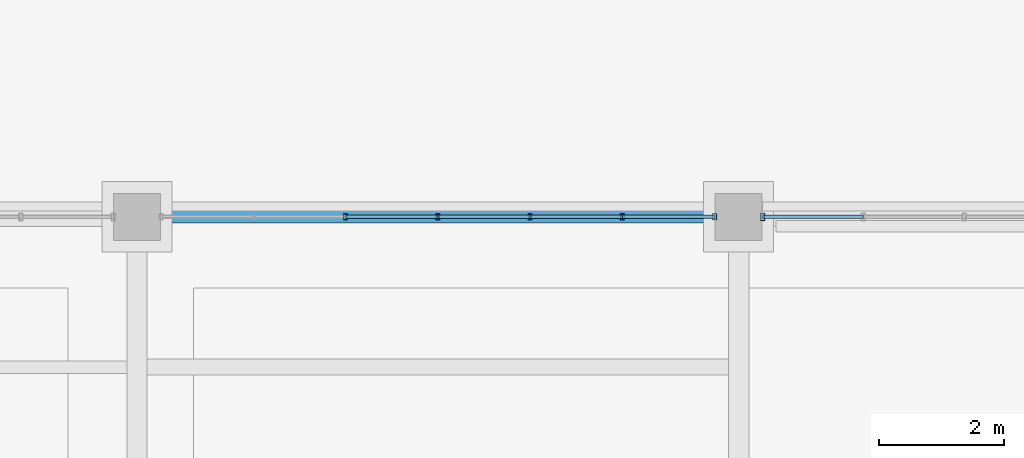
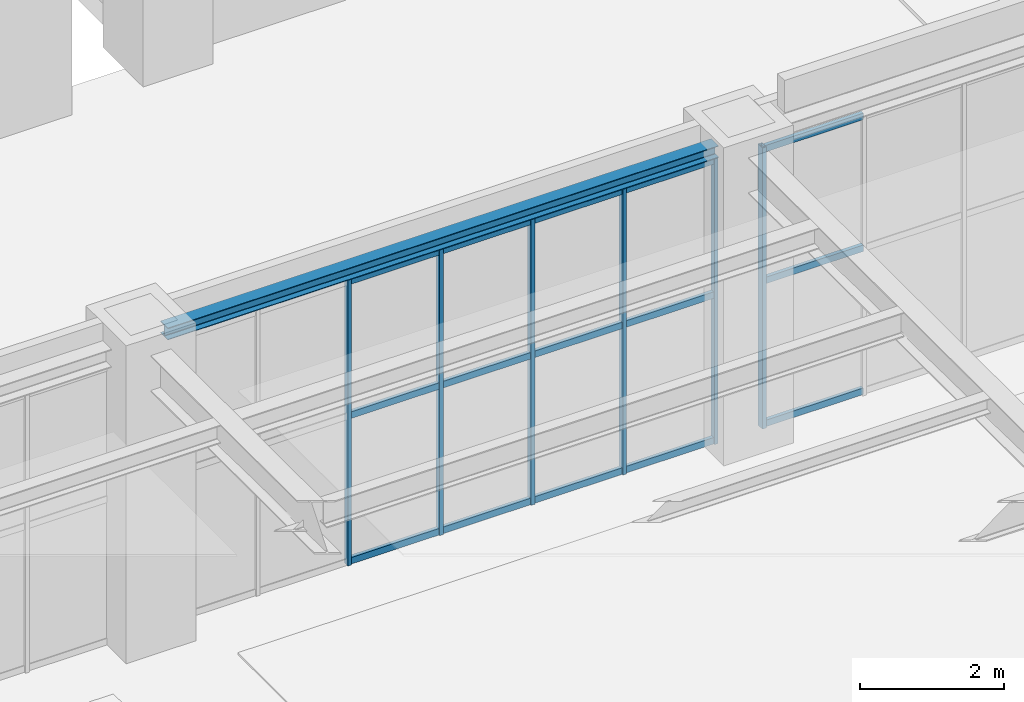
# One storey, part 38 of 164: 21 members, 1 beam, 2 elements without a shape of their own.
"""IFC4 building model written with IfcOpenShell, lengths in metres."""

from ifc_helpers import new_model, si_unit, direction, frame, origin, origin_2d, place, context, subcontext, project, spatial, hollow_rectangle, i_section, extrude, material, material_profile, profile_set, type_object, element, aggregate, save


model = new_model("IFC4")

# Units and contexts
model_context = context("Model", 3, precision=1e-05, world=origin(), true_north=direction((0.0, 1.0)))
body_context = subcontext(model_context, "Body", "Model", "MODEL_VIEW")
ifc_project = project(units=[si_unit("LENGTHUNIT", "METRE"), si_unit("AREAUNIT", "SQUARE_METRE"), si_unit("VOLUMEUNIT", "CUBIC_METRE"), si_unit("PLANEANGLEUNIT", "RADIAN"), si_unit("MASSUNIT", "GRAM", prefix="KILO")], contexts=[model_context])

# Site, building, storey
site_placement = place(None, origin())
site = spatial("IfcSite", under=ifc_project, at=site_placement, CompositionType="ELEMENT")
building_placement = place(site_placement, origin())
building = spatial("IfcBuilding", under=site, at=building_placement, Name="Mavantir Sound Aquarium", CompositionType="ELEMENT")
storey_placement = place(building_placement, origin())
storey = spatial("IfcBuildingStorey", under=building, at=storey_placement, Name="L00", CompositionType="ELEMENT", Elevation=0.0)

# Beam
ifc_material_1 = material(Name="Structural Steel ASTM A992 Gr50", Category="steel")
ifc_material_profile_1 = material_profile(ifc_material_1, i_section(OverallWidth=0.202880859375, OverallDepth=0.202880859375, WebThickness=0.007080078125, FlangeThickness=0.010986328125, FilletRadius=0.010009765625, at=origin_2d()), Name="W200X46")
ifc_profile_set_1 = profile_set([ifc_material_profile_1], Name="Structural Steel ASTM A992 Gr50")
beam_type = type_object("IfcBeamType", Name="BM-W200X46-E", PredefinedType="LINTEL", material=ifc_profile_set_1)
beam_placement = place(storey_placement, frame((29.175048828125, 28.800048828125, 4.994384765625), z_axis=(1.0, 0.0, 0.0), x_axis=(0.0, 1.0, 0.0)))
element("IfcBeam", 1, at=beam_placement, inside=storey, type_object=beam_type, Name="L00 primary beam SL-20 904", PredefinedType="LINTEL", context=body_context, shape_type="SweptSolid", body=[
    extrude(i_section(OverallWidth=0.202880859375, OverallDepth=0.202880859375, WebThickness=0.007080078125, FlangeThickness=0.010986328125, FilletRadius=0.010009765625, at=origin_2d()), origin(), (0.0, 0.0, 1.0), 8.849853515625),
])

# Curtain wall, members
ifc_material_2 = material(Name="Anodised Marine Aluminium and Low-E Glass", Category="aluminium")
curtain_wall_type_1 = type_object("IfcCurtainWallType", Name="CW-T07", PredefinedType="USERDEFINED", material=ifc_material_2)
curtain_wall_1_placement = place(storey_placement, origin())
curtain_wall_1 = element("IfcCurtainWall", 2, at=curtain_wall_1_placement, inside=storey, type_object=curtain_wall_type_1, Name="L00 unitised curtain wall CW-07 7", ObjectType="UNITISED GLAZING", PredefinedType="USERDEFINED")
ifc_material_3 = material(Name="Anodised Marine Aluminium 6063-T6", Category="aluminium")
ifc_material_profile_2 = material_profile(ifc_material_3, hollow_rectangle(XDim=0.06005859375, YDim=0.10009765625, WallThickness=0.00390625, at=origin_2d()), Name="ALU-MULLION-100X60")
ifc_profile_set_2 = profile_set([ifc_material_profile_2], Name="Anodised Marine Aluminium 6063-T6")
member_type_1 = type_object("IfcMemberType", Name="CW-MUL-100", PredefinedType="MULLION", material=ifc_profile_set_2)
member_1_placement = place(storey_placement, frame((38.01708984375, 28.800048828125, 0.0), z_axis=(0.0, 0.0, 1.0), x_axis=(1.0, 0.0, 0.0)))
member_1 = element("IfcMember", 3, at=member_1_placement, type_object=member_type_1, Name="CW-L00-007 vertical mullion 1", PredefinedType="MULLION", context=body_context, shape_type="SweptSolid", body=[
    extrude(hollow_rectangle(XDim=0.06005859375, YDim=0.10009765625, WallThickness=0.00390625, at=origin_2d()), origin(), (0.0, 0.0, 1.0), 4.863037109375),
])
member_2_placement = place(storey_placement, frame((36.544677734375, 28.800048828125, 0.0), z_axis=(0.0, 0.0, 1.0), x_axis=(1.0, 0.0, 0.0)))
member_2 = element("IfcMember", 4, at=member_2_placement, type_object=member_type_1, Name="CW-L00-007 vertical mullion 2", PredefinedType="MULLION", context=body_context, shape_type="SweptSolid", body=[
    extrude(hollow_rectangle(XDim=0.06005859375, YDim=0.10009765625, WallThickness=0.00390625, at=origin_2d()), origin(), (0.0, 0.0, 1.0), 4.863037109375),
])
member_3_placement = place(storey_placement, frame((35.072265625, 28.800048828125, 0.0), z_axis=(0.0, 0.0, 1.0), x_axis=(1.0, 0.0, 0.0)))
member_3 = element("IfcMember", 5, at=member_3_placement, type_object=member_type_1, Name="CW-L00-007 vertical mullion 3", PredefinedType="MULLION", context=body_context, shape_type="SweptSolid", body=[
    extrude(hollow_rectangle(XDim=0.06005859375, YDim=0.10009765625, WallThickness=0.00390625, at=origin_2d()), origin(), (0.0, 0.0, 1.0), 4.863037109375),
])
member_4_placement = place(storey_placement, frame((33.60009765625, 28.800048828125, 0.0), z_axis=(0.0, 0.0, 1.0), x_axis=(1.0, 0.0, 0.0)))
member_4 = element("IfcMember", 6, at=member_4_placement, type_object=member_type_1, Name="CW-L00-007 vertical mullion 4", PredefinedType="MULLION", context=body_context, shape_type="SweptSolid", body=[
    extrude(hollow_rectangle(XDim=0.06005859375, YDim=0.10009765625, WallThickness=0.00390625, at=origin_2d()), origin(), (0.0, 0.0, 1.0), 4.863037109375),
])
member_5_placement = place(storey_placement, frame((32.127685546875, 28.800048828125, 0.0), z_axis=(0.0, 0.0, 1.0), x_axis=(1.0, 0.0, 0.0)))
member_5 = element("IfcMember", 7, at=member_5_placement, type_object=member_type_1, Name="CW-L00-007 vertical mullion 5", PredefinedType="MULLION", context=body_context, shape_type="SweptSolid", body=[
    extrude(hollow_rectangle(XDim=0.06005859375, YDim=0.10009765625, WallThickness=0.00390625, at=origin_2d()), origin(), (0.0, 0.0, 1.0), 4.863037109375),
])

curtain_wall_type_2 = type_object("IfcCurtainWallType", Name="CW-T06", PredefinedType="USERDEFINED", material=ifc_material_2)
curtain_wall_2_placement = place(storey_placement, origin())
curtain_wall_2 = element("IfcCurtainWall", 8, at=curtain_wall_2_placement, inside=storey, type_object=curtain_wall_type_2, Name="L00 unitised curtain wall CW-06 6", ObjectType="UNITISED GLAZING", PredefinedType="USERDEFINED")
ifc_material_profile_3 = material_profile(ifc_material_3, hollow_rectangle(XDim=0.06494140625, YDim=0.1201171875, WallThickness=0.00390625, at=origin_2d()), Name="ALU-MULLION-120X65")
ifc_profile_set_3 = profile_set([ifc_material_profile_3], Name="Anodised Marine Aluminium 6063-T6")
member_type_2 = type_object("IfcMemberType", Name="CW-MUL-120", PredefinedType="MULLION", material=ifc_profile_set_3)
member_6_placement = place(storey_placement, frame((38.782958984375, 28.800048828125, 0.0), z_axis=(0.0, 0.0, 1.0), x_axis=(1.0, 0.0, 0.0)))
member_6 = element("IfcMember", 9, at=member_6_placement, type_object=member_type_2, Name="CW-L00-006 vertical mullion 5", PredefinedType="MULLION", context=body_context, shape_type="SweptSolid", body=[
    extrude(hollow_rectangle(XDim=0.06494140625, YDim=0.1201171875, WallThickness=0.00390625, at=origin_2d()), origin(), (0.0, 0.0, 1.0), 4.778076171875),
])
ifc_material_profile_4 = material_profile(ifc_material_3, hollow_rectangle(XDim=0.06005859375, YDim=0.110107421875, WallThickness=0.00390625, at=origin_2d()), Name="ALU-TRANSOM-110X60")
ifc_profile_set_4 = profile_set([ifc_material_profile_4], Name="Anodised Marine Aluminium 6063-T6")
member_type_3 = type_object("IfcMemberType", Name="CW-TRN-110", PredefinedType="USERDEFINED", material=ifc_profile_set_4)
member_7_placement = place(storey_placement, frame((40.3916015625, 28.800048828125, 0.054931640625), z_axis=(-1.0, 0.0, 0.0), x_axis=(0.0, -1.0, 0.0)))
member_7 = element("IfcMember", 10, at=member_7_placement, type_object=member_type_3, Name="CW-L00-006 transom 4.1", ObjectType="TRANSOM", PredefinedType="USERDEFINED", context=body_context, shape_type="SweptSolid", body=[
    extrude(hollow_rectangle(XDim=0.06005859375, YDim=0.110107421875, WallThickness=0.00390625, at=origin_2d()), origin(), (0.0, 0.0, 1.0), 1.608642578125),
])
member_8_placement = place(storey_placement, frame((40.3916015625, 28.800048828125, 2.484619140625), z_axis=(-1.0, 0.0, 0.0), x_axis=(0.0, -1.0, 0.0)))
member_8 = element("IfcMember", 11, at=member_8_placement, type_object=member_type_3, Name="CW-L00-006 transom 4.2", ObjectType="TRANSOM", PredefinedType="USERDEFINED", context=body_context, shape_type="SweptSolid", body=[
    extrude(hollow_rectangle(XDim=0.06005859375, YDim=0.110107421875, WallThickness=0.00390625, at=origin_2d()), origin(), (0.0, 0.0, 1.0), 1.608642578125),
])
member_9_placement = place(storey_placement, frame((40.3916015625, 28.800048828125, 4.722900390625), z_axis=(-1.0, 0.0, 0.0), x_axis=(0.0, -1.0, 0.0)))
member_9 = element("IfcMember", 12, at=member_9_placement, type_object=member_type_3, Name="CW-L00-006 transom 4.3", ObjectType="TRANSOM", PredefinedType="USERDEFINED", context=body_context, shape_type="SweptSolid", body=[
    extrude(hollow_rectangle(XDim=0.06005859375, YDim=0.110107421875, WallThickness=0.00390625, at=origin_2d()), origin(), (0.0, 0.0, 1.0), 1.608642578125),
])
aggregate(curtain_wall_2, [member_6, member_7, member_8, member_9])

# Member
member_10_placement = place(storey_placement, frame((38.01708984375, 28.800048828125, 0.054931640625), z_axis=(-1.0, 0.0, 0.0), x_axis=(0.0, -1.0, 0.0)))
member_10 = element("IfcMember", 13, at=member_10_placement, type_object=member_type_3, Name="CW-L00-007 transom 1.1", ObjectType="TRANSOM", PredefinedType="USERDEFINED", context=body_context, shape_type="SweptSolid", body=[
    extrude(hollow_rectangle(XDim=0.06005859375, YDim=0.110107421875, WallThickness=0.00390625, at=origin_2d()), origin(), (0.0, 0.0, 1.0), 1.472412109375),
])

member_11_placement = place(storey_placement, frame((38.01708984375, 28.800048828125, 2.52880859375), z_axis=(-1.0, 0.0, 0.0), x_axis=(0.0, -1.0, 0.0)))
member_11 = element("IfcMember", 14, at=member_11_placement, type_object=member_type_3, Name="CW-L00-007 transom 1.2", ObjectType="TRANSOM", PredefinedType="USERDEFINED", context=body_context, shape_type="SweptSolid", body=[
    extrude(hollow_rectangle(XDim=0.06005859375, YDim=0.110107421875, WallThickness=0.00390625, at=origin_2d()), origin(), (0.0, 0.0, 1.0), 1.472412109375),
])

member_12_placement = place(storey_placement, frame((38.01708984375, 28.800048828125, 4.80810546875), z_axis=(-1.0, 0.0, 0.0), x_axis=(0.0, -1.0, 0.0)))
member_12 = element("IfcMember", 15, at=member_12_placement, type_object=member_type_3, Name="CW-L00-007 transom 1.3", ObjectType="TRANSOM", PredefinedType="USERDEFINED", context=body_context, shape_type="SweptSolid", body=[
    extrude(hollow_rectangle(XDim=0.06005859375, YDim=0.110107421875, WallThickness=0.00390625, at=origin_2d()), origin(), (0.0, 0.0, 1.0), 1.472412109375),
])

member_13_placement = place(storey_placement, frame((36.544677734375, 28.800048828125, 0.054931640625), z_axis=(-1.0, 0.0, 0.0), x_axis=(0.0, -1.0, 0.0)))
member_13 = element("IfcMember", 16, at=member_13_placement, type_object=member_type_3, Name="CW-L00-007 transom 2.1", ObjectType="TRANSOM", PredefinedType="USERDEFINED", context=body_context, shape_type="SweptSolid", body=[
    extrude(hollow_rectangle(XDim=0.06005859375, YDim=0.110107421875, WallThickness=0.00390625, at=origin_2d()), origin(), (0.0, 0.0, 1.0), 1.472412109375),
])

member_14_placement = place(storey_placement, frame((36.544677734375, 28.800048828125, 2.52880859375), z_axis=(-1.0, 0.0, 0.0), x_axis=(0.0, -1.0, 0.0)))
member_14 = element("IfcMember", 17, at=member_14_placement, type_object=member_type_3, Name="CW-L00-007 transom 2.2", ObjectType="TRANSOM", PredefinedType="USERDEFINED", context=body_context, shape_type="SweptSolid", body=[
    extrude(hollow_rectangle(XDim=0.06005859375, YDim=0.110107421875, WallThickness=0.00390625, at=origin_2d()), origin(), (0.0, 0.0, 1.0), 1.472412109375),
])

member_15_placement = place(storey_placement, frame((36.544677734375, 28.800048828125, 4.80810546875), z_axis=(-1.0, 0.0, 0.0), x_axis=(0.0, -1.0, 0.0)))
member_15 = element("IfcMember", 18, at=member_15_placement, type_object=member_type_3, Name="CW-L00-007 transom 2.3", ObjectType="TRANSOM", PredefinedType="USERDEFINED", context=body_context, shape_type="SweptSolid", body=[
    extrude(hollow_rectangle(XDim=0.06005859375, YDim=0.110107421875, WallThickness=0.00390625, at=origin_2d()), origin(), (0.0, 0.0, 1.0), 1.472412109375),
])

member_16_placement = place(storey_placement, frame((35.072265625, 28.800048828125, 0.054931640625), z_axis=(-1.0, 0.0, 0.0), x_axis=(0.0, -1.0, 0.0)))
member_16 = element("IfcMember", 19, at=member_16_placement, type_object=member_type_3, Name="CW-L00-007 transom 3.1", ObjectType="TRANSOM", PredefinedType="USERDEFINED", context=body_context, shape_type="SweptSolid", body=[
    extrude(hollow_rectangle(XDim=0.06005859375, YDim=0.110107421875, WallThickness=0.00390625, at=origin_2d()), origin(), (0.0, 0.0, 1.0), 1.47216796875),
])

member_17_placement = place(storey_placement, frame((35.072265625, 28.800048828125, 2.52880859375), z_axis=(-1.0, 0.0, 0.0), x_axis=(0.0, -1.0, 0.0)))
member_17 = element("IfcMember", 20, at=member_17_placement, type_object=member_type_3, Name="CW-L00-007 transom 3.2", ObjectType="TRANSOM", PredefinedType="USERDEFINED", context=body_context, shape_type="SweptSolid", body=[
    extrude(hollow_rectangle(XDim=0.06005859375, YDim=0.110107421875, WallThickness=0.00390625, at=origin_2d()), origin(), (0.0, 0.0, 1.0), 1.47216796875),
])

member_18_placement = place(storey_placement, frame((35.072265625, 28.800048828125, 4.80810546875), z_axis=(-1.0, 0.0, 0.0), x_axis=(0.0, -1.0, 0.0)))
member_18 = element("IfcMember", 21, at=member_18_placement, type_object=member_type_3, Name="CW-L00-007 transom 3.3", ObjectType="TRANSOM", PredefinedType="USERDEFINED", context=body_context, shape_type="SweptSolid", body=[
    extrude(hollow_rectangle(XDim=0.06005859375, YDim=0.110107421875, WallThickness=0.00390625, at=origin_2d()), origin(), (0.0, 0.0, 1.0), 1.47216796875),
])

member_19_placement = place(storey_placement, frame((33.60009765625, 28.800048828125, 0.054931640625), z_axis=(-1.0, 0.0, 0.0), x_axis=(0.0, -1.0, 0.0)))
member_19 = element("IfcMember", 22, at=member_19_placement, type_object=member_type_3, Name="CW-L00-007 transom 4.1", ObjectType="TRANSOM", PredefinedType="USERDEFINED", context=body_context, shape_type="SweptSolid", body=[
    extrude(hollow_rectangle(XDim=0.06005859375, YDim=0.110107421875, WallThickness=0.00390625, at=origin_2d()), origin(), (0.0, 0.0, 1.0), 1.472412109375),
])

member_20_placement = place(storey_placement, frame((33.60009765625, 28.800048828125, 2.52880859375), z_axis=(-1.0, 0.0, 0.0), x_axis=(0.0, -1.0, 0.0)))
member_20 = element("IfcMember", 23, at=member_20_placement, type_object=member_type_3, Name="CW-L00-007 transom 4.2", ObjectType="TRANSOM", PredefinedType="USERDEFINED", context=body_context, shape_type="SweptSolid", body=[
    extrude(hollow_rectangle(XDim=0.06005859375, YDim=0.110107421875, WallThickness=0.00390625, at=origin_2d()), origin(), (0.0, 0.0, 1.0), 1.472412109375),
])

member_21_placement = place(storey_placement, frame((33.60009765625, 28.800048828125, 4.80810546875), z_axis=(-1.0, 0.0, 0.0), x_axis=(0.0, -1.0, 0.0)))
member_21 = element("IfcMember", 24, at=member_21_placement, type_object=member_type_3, Name="CW-L00-007 transom 4.3", ObjectType="TRANSOM", PredefinedType="USERDEFINED", context=body_context, shape_type="SweptSolid", body=[
    extrude(hollow_rectangle(XDim=0.06005859375, YDim=0.110107421875, WallThickness=0.00390625, at=origin_2d()), origin(), (0.0, 0.0, 1.0), 1.472412109375),
])

aggregate(curtain_wall_1, [member_1, member_2, member_3, member_4, member_5, member_10, member_11, member_12, member_13, member_14, member_15, member_16, member_17, member_18, member_19, member_20, member_21])

save(model, "model.ifc")
